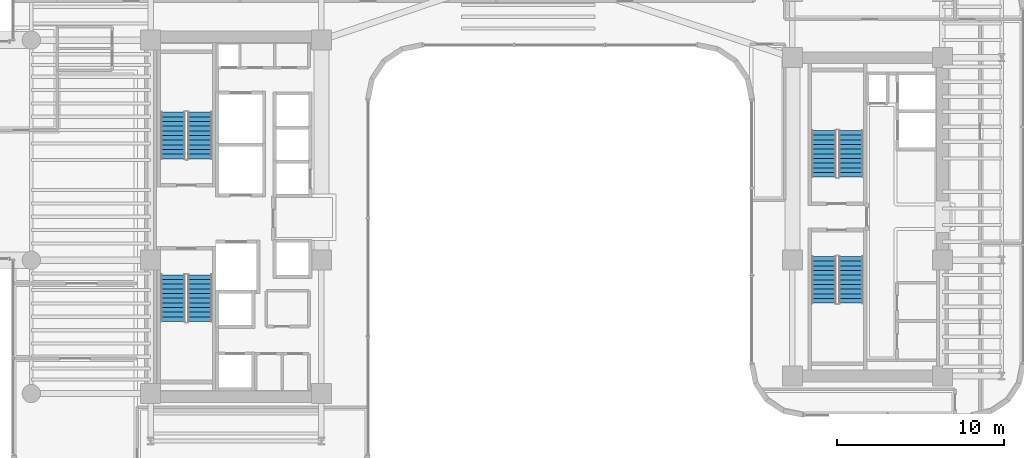
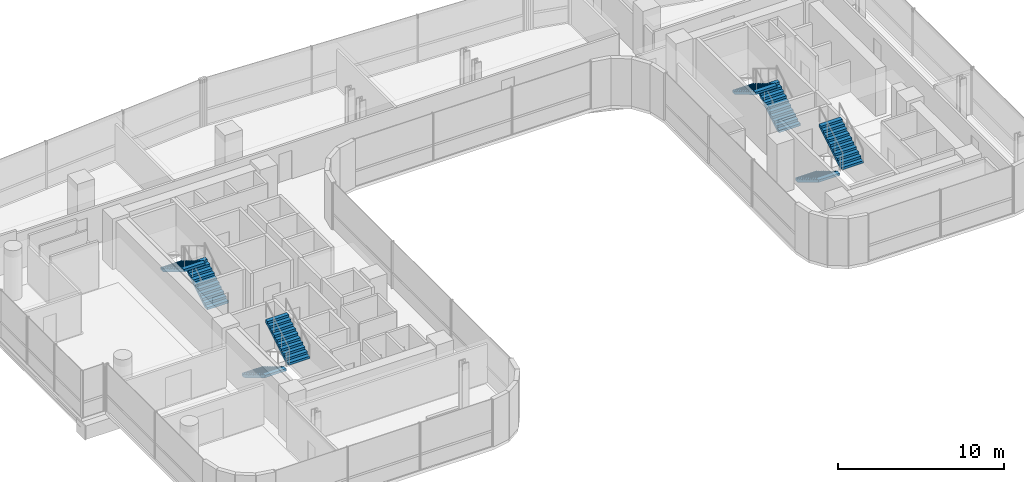
# One storey, part 30 of 34: 8 stair flights, 4 elements without a shape of their own.
"""IFC4 building model written with IfcOpenShell, lengths in metres."""

from ifc_helpers import new_model, si_unit, direction, frame, origin, place, context, subcontext, project, spatial, polyline, outline, extrude, material, type_object, element, aggregate, save


model = new_model("IFC4")

# Units and contexts
model_context = context("Model", 3, precision=1e-05, world=origin(), true_north=direction((0.0, 1.0)))
body_context = subcontext(model_context, "Body", "Model", "MODEL_VIEW")
ifc_project = project(units=[si_unit("LENGTHUNIT", "METRE"), si_unit("AREAUNIT", "SQUARE_METRE"), si_unit("VOLUMEUNIT", "CUBIC_METRE"), si_unit("PLANEANGLEUNIT", "RADIAN"), si_unit("MASSUNIT", "GRAM", prefix="KILO")], contexts=[model_context])

# Site, building, storey
site_placement = place(None, origin())
site = spatial("IfcSite", under=ifc_project, at=site_placement, CompositionType="ELEMENT")
building_placement = place(site_placement, origin())
building = spatial("IfcBuilding", under=site, at=building_placement, Name="Valdorenza Pilgrim Sanctuary Tower", CompositionType="ELEMENT")
storey_placement = place(building_placement, frame((0.0, 0.0, 146.39990234375)))
storey = spatial("IfcBuildingStorey", under=building, at=storey_placement, Name="L37", CompositionType="ELEMENT", Elevation=146.39990234375)

# Stair, stair flights
ifc_material = material(Name="Concrete C40/50", Category="concrete")
stair_type = type_object("IfcStairType", Name="STR-DOG-CORE", PredefinedType="HALF_TURN_STAIR", material=ifc_material)
stair_1_placement = place(storey_placement, origin())
stair_1 = element("IfcStair", 1, at=stair_1_placement, inside=storey, type_object=stair_type, Name="L37 ST-A1", PredefinedType="HALF_TURN_STAIR")
stair_flight_type = type_object("IfcStairFlightType", Name="STF-RC-1400", PredefinedType="STRAIGHT", material=ifc_material)
stair_flight_1_placement = place(storey_placement, frame((-19.679931640625, 3.47998046875, 0.0), z_axis=(0.0, 0.0, 1.0), x_axis=(0.0, 1.0, 0.0)))
stair_flight_1 = element("IfcStairFlight", 2, at=stair_flight_1_placement, type_object=stair_flight_type, Name="ST-A1 flight 1", NumberOfRisers=11, NumberOfTreads=10, PredefinedType="STRAIGHT", RiserHeight=0.168181818, TreadLength=0.28, context=body_context, shape_type="SweptSolid", body=[
    extrude(outline(polyline([(0.0, 0.0), (0.0, 0.168212890625), (0.280029296875, 0.168212890625), (0.280029296875, 0.33642578125), (0.56005859375, 0.33642578125), (0.56005859375, 0.504638671875), (0.840087890625, 0.504638671875), (0.840087890625, 0.672607421875), (1.1201171875, 0.672607421875), (1.1201171875, 0.8408203125), (1.39990234375, 0.8408203125), (1.39990234375, 1.009033203125), (1.679931640625, 1.009033203125), (1.679931640625, 1.17724609375), (1.9599609375, 1.17724609375), (1.9599609375, 1.345458984375), (2.239990234375, 1.345458984375), (2.239990234375, 1.513671875), (2.52001953125, 1.513671875), (2.52001953125, 1.681884765625), (2.800048828125, 1.681884765625), (2.800048828125, 1.85009765625), (2.800048828125, 1.5068359375), (0.291015625, 0.0), (0.0, 0.0)])), frame((0.0, 0.739990234375, 0.0), z_axis=(0.0, -1.0, 0.0), x_axis=(1.0, 0.0, 0.0)), (0.0, 0.0, 1.0), 1.47998046875),
])
stair_flight_2_placement = place(storey_placement, frame((-21.31005859375, 6.280029296875, 1.85009765625), z_axis=(0.0, 0.0, 1.0), x_axis=(0.0, -1.0, 0.0)))
stair_flight_2 = element("IfcStairFlight", 3, at=stair_flight_2_placement, type_object=stair_flight_type, Name="ST-A1 flight 2", NumberOfRisers=11, NumberOfTreads=10, PredefinedType="STRAIGHT", RiserHeight=0.168181818, TreadLength=0.28, context=body_context, shape_type="SweptSolid", body=[
    extrude(outline(polyline([(0.0, 0.0), (0.0, 0.168212890625), (0.280029296875, 0.168212890625), (0.280029296875, 0.33642578125), (0.56005859375, 0.33642578125), (0.56005859375, 0.504638671875), (0.840087890625, 0.504638671875), (0.840087890625, 0.672607421875), (1.1201171875, 0.672607421875), (1.1201171875, 0.8408203125), (1.39990234375, 0.8408203125), (1.39990234375, 1.009033203125), (1.679931640625, 1.009033203125), (1.679931640625, 1.17724609375), (1.9599609375, 1.17724609375), (1.9599609375, 1.345458984375), (2.239990234375, 1.345458984375), (2.239990234375, 1.513671875), (2.52001953125, 1.513671875), (2.52001953125, 1.681884765625), (2.800048828125, 1.681884765625), (2.800048828125, 1.85009765625), (2.800048828125, 1.5068359375), (0.291015625, 0.0), (0.0, 0.0)])), frame((0.0, 0.739990234375, 0.0), z_axis=(0.0, -1.0, 0.0), x_axis=(1.0, 0.0, 0.0)), (0.0, 0.0, 1.0), 1.47998046875),
])
aggregate(stair_1, [stair_flight_1, stair_flight_2])

stair_2_placement = place(storey_placement, origin())
stair_2 = element("IfcStair", 4, at=stair_2_placement, inside=storey, type_object=stair_type, Name="L37 ST-A2", PredefinedType="HALF_TURN_STAIR")
stair_flight_3_placement = place(storey_placement, frame((-21.31005859375, -3.47998046875, 0.0), z_axis=(0.0, 0.0, 1.0), x_axis=(0.0, -1.0, 0.0)))
stair_flight_3 = element("IfcStairFlight", 5, at=stair_flight_3_placement, type_object=stair_flight_type, Name="ST-A2 flight 1", NumberOfRisers=11, NumberOfTreads=10, PredefinedType="STRAIGHT", RiserHeight=0.168181818, TreadLength=0.28, context=body_context, shape_type="SweptSolid", body=[
    extrude(outline(polyline([(0.0, 0.0), (0.0, 0.168212890625), (0.280029296875, 0.168212890625), (0.280029296875, 0.33642578125), (0.56005859375, 0.33642578125), (0.56005859375, 0.504638671875), (0.840087890625, 0.504638671875), (0.840087890625, 0.672607421875), (1.1201171875, 0.672607421875), (1.1201171875, 0.8408203125), (1.39990234375, 0.8408203125), (1.39990234375, 1.009033203125), (1.679931640625, 1.009033203125), (1.679931640625, 1.17724609375), (1.9599609375, 1.17724609375), (1.9599609375, 1.345458984375), (2.239990234375, 1.345458984375), (2.239990234375, 1.513671875), (2.52001953125, 1.513671875), (2.52001953125, 1.681884765625), (2.800048828125, 1.681884765625), (2.800048828125, 1.85009765625), (2.800048828125, 1.5068359375), (0.291015625, 0.0), (0.0, 0.0)])), frame((0.0, 0.739990234375, 0.0), z_axis=(0.0, -1.0, 0.0), x_axis=(1.0, 0.0, 0.0)), (0.0, 0.0, 1.0), 1.47998046875),
])
stair_flight_4_placement = place(storey_placement, frame((-19.679931640625, -6.280029296875, 1.85009765625), z_axis=(0.0, 0.0, 1.0), x_axis=(0.0, 1.0, 0.0)))
stair_flight_4 = element("IfcStairFlight", 6, at=stair_flight_4_placement, type_object=stair_flight_type, Name="ST-A2 flight 2", NumberOfRisers=11, NumberOfTreads=10, PredefinedType="STRAIGHT", RiserHeight=0.168181818, TreadLength=0.28, context=body_context, shape_type="SweptSolid", body=[
    extrude(outline(polyline([(0.0, 0.0), (0.0, 0.168212890625), (0.280029296875, 0.168212890625), (0.280029296875, 0.33642578125), (0.56005859375, 0.33642578125), (0.56005859375, 0.504638671875), (0.840087890625, 0.504638671875), (0.840087890625, 0.672607421875), (1.1201171875, 0.672607421875), (1.1201171875, 0.8408203125), (1.39990234375, 0.8408203125), (1.39990234375, 1.009033203125), (1.679931640625, 1.009033203125), (1.679931640625, 1.17724609375), (1.9599609375, 1.17724609375), (1.9599609375, 1.345458984375), (2.239990234375, 1.345458984375), (2.239990234375, 1.513671875), (2.52001953125, 1.513671875), (2.52001953125, 1.681884765625), (2.800048828125, 1.681884765625), (2.800048828125, 1.85009765625), (2.800048828125, 1.5068359375), (0.291015625, 0.0), (0.0, 0.0)])), frame((0.0, 0.739990234375, 0.0), z_axis=(0.0, -1.0, 0.0), x_axis=(1.0, 0.0, 0.0)), (0.0, 0.0, 1.0), 1.47998046875),
])
aggregate(stair_2, [stair_flight_3, stair_flight_4])

stair_3_placement = place(storey_placement, origin())
stair_3 = element("IfcStair", 7, at=stair_3_placement, inside=storey, type_object=stair_type, Name="L37 ST-B1", PredefinedType="HALF_TURN_STAIR")
stair_flight_5_placement = place(storey_placement, frame((19.3701171875, 2.3798828125, 0.0), z_axis=(0.0, 0.0, 1.0), x_axis=(0.0, 1.0, 0.0)))
stair_flight_5 = element("IfcStairFlight", 8, at=stair_flight_5_placement, type_object=stair_flight_type, Name="ST-B1 flight 1", NumberOfRisers=11, NumberOfTreads=10, PredefinedType="STRAIGHT", RiserHeight=0.168181818, TreadLength=0.28, context=body_context, shape_type="SweptSolid", body=[
    extrude(outline(polyline([(0.0, 0.0), (0.0, 0.168212890625), (0.280029296875, 0.168212890625), (0.280029296875, 0.33642578125), (0.56005859375, 0.33642578125), (0.56005859375, 0.504638671875), (0.840087890625, 0.504638671875), (0.840087890625, 0.672607421875), (1.1201171875, 0.672607421875), (1.1201171875, 0.8408203125), (1.39990234375, 0.8408203125), (1.39990234375, 1.009033203125), (1.679931640625, 1.009033203125), (1.679931640625, 1.17724609375), (1.9599609375, 1.17724609375), (1.9599609375, 1.345458984375), (2.239990234375, 1.345458984375), (2.239990234375, 1.513671875), (2.52001953125, 1.513671875), (2.52001953125, 1.681884765625), (2.800048828125, 1.681884765625), (2.800048828125, 1.85009765625), (2.800048828125, 1.5068359375), (0.291015625, 0.0), (0.0, 0.0)])), frame((0.0, 0.739990234375, 0.0), z_axis=(0.0, -1.0, 0.0), x_axis=(1.0, 0.0, 0.0)), (0.0, 0.0, 1.0), 1.47998046875),
])
stair_flight_6_placement = place(storey_placement, frame((17.739990234375, 5.179931640625, 1.85009765625), z_axis=(0.0, 0.0, 1.0), x_axis=(0.0, -1.0, 0.0)))
stair_flight_6 = element("IfcStairFlight", 9, at=stair_flight_6_placement, type_object=stair_flight_type, Name="ST-B1 flight 2", NumberOfRisers=11, NumberOfTreads=10, PredefinedType="STRAIGHT", RiserHeight=0.168181818, TreadLength=0.28, context=body_context, shape_type="SweptSolid", body=[
    extrude(outline(polyline([(0.0, 0.0), (0.0, 0.168212890625), (0.280029296875, 0.168212890625), (0.280029296875, 0.33642578125), (0.56005859375, 0.33642578125), (0.56005859375, 0.504638671875), (0.840087890625, 0.504638671875), (0.840087890625, 0.672607421875), (1.1201171875, 0.672607421875), (1.1201171875, 0.8408203125), (1.39990234375, 0.8408203125), (1.39990234375, 1.009033203125), (1.679931640625, 1.009033203125), (1.679931640625, 1.17724609375), (1.9599609375, 1.17724609375), (1.9599609375, 1.345458984375), (2.239990234375, 1.345458984375), (2.239990234375, 1.513671875), (2.52001953125, 1.513671875), (2.52001953125, 1.681884765625), (2.800048828125, 1.681884765625), (2.800048828125, 1.85009765625), (2.800048828125, 1.5068359375), (0.291015625, 0.0), (0.0, 0.0)])), frame((0.0, 0.739990234375, 0.0), z_axis=(0.0, -1.0, 0.0), x_axis=(1.0, 0.0, 0.0)), (0.0, 0.0, 1.0), 1.47998046875),
])
aggregate(stair_3, [stair_flight_5, stair_flight_6])

stair_4_placement = place(storey_placement, origin())
stair_4 = element("IfcStair", 10, at=stair_4_placement, inside=storey, type_object=stair_type, Name="L37 ST-B2", PredefinedType="HALF_TURN_STAIR")
stair_flight_7_placement = place(storey_placement, frame((17.739990234375, -2.3798828125, 0.0), z_axis=(0.0, 0.0, 1.0), x_axis=(0.0, -1.0, 0.0)))
stair_flight_7 = element("IfcStairFlight", 11, at=stair_flight_7_placement, type_object=stair_flight_type, Name="ST-B2 flight 1", NumberOfRisers=11, NumberOfTreads=10, PredefinedType="STRAIGHT", RiserHeight=0.168181818, TreadLength=0.28, context=body_context, shape_type="SweptSolid", body=[
    extrude(outline(polyline([(0.0, 0.0), (0.0, 0.168212890625), (0.280029296875, 0.168212890625), (0.280029296875, 0.33642578125), (0.56005859375, 0.33642578125), (0.56005859375, 0.504638671875), (0.840087890625, 0.504638671875), (0.840087890625, 0.672607421875), (1.1201171875, 0.672607421875), (1.1201171875, 0.8408203125), (1.39990234375, 0.8408203125), (1.39990234375, 1.009033203125), (1.679931640625, 1.009033203125), (1.679931640625, 1.17724609375), (1.9599609375, 1.17724609375), (1.9599609375, 1.345458984375), (2.239990234375, 1.345458984375), (2.239990234375, 1.513671875), (2.52001953125, 1.513671875), (2.52001953125, 1.681884765625), (2.800048828125, 1.681884765625), (2.800048828125, 1.85009765625), (2.800048828125, 1.5068359375), (0.291015625, 0.0), (0.0, 0.0)])), frame((0.0, 0.739990234375, 0.0), z_axis=(0.0, -1.0, 0.0), x_axis=(1.0, 0.0, 0.0)), (0.0, 0.0, 1.0), 1.47998046875),
])
stair_flight_8_placement = place(storey_placement, frame((19.3701171875, -5.179931640625, 1.85009765625), z_axis=(0.0, 0.0, 1.0), x_axis=(0.0, 1.0, 0.0)))
stair_flight_8 = element("IfcStairFlight", 12, at=stair_flight_8_placement, type_object=stair_flight_type, Name="ST-B2 flight 2", NumberOfRisers=11, NumberOfTreads=10, PredefinedType="STRAIGHT", RiserHeight=0.168181818, TreadLength=0.28, context=body_context, shape_type="SweptSolid", body=[
    extrude(outline(polyline([(0.0, 0.0), (0.0, 0.168212890625), (0.280029296875, 0.168212890625), (0.280029296875, 0.33642578125), (0.56005859375, 0.33642578125), (0.56005859375, 0.504638671875), (0.840087890625, 0.504638671875), (0.840087890625, 0.672607421875), (1.1201171875, 0.672607421875), (1.1201171875, 0.8408203125), (1.39990234375, 0.8408203125), (1.39990234375, 1.009033203125), (1.679931640625, 1.009033203125), (1.679931640625, 1.17724609375), (1.9599609375, 1.17724609375), (1.9599609375, 1.345458984375), (2.239990234375, 1.345458984375), (2.239990234375, 1.513671875), (2.52001953125, 1.513671875), (2.52001953125, 1.681884765625), (2.800048828125, 1.681884765625), (2.800048828125, 1.85009765625), (2.800048828125, 1.5068359375), (0.291015625, 0.0), (0.0, 0.0)])), frame((0.0, 0.739990234375, 0.0), z_axis=(0.0, -1.0, 0.0), x_axis=(1.0, 0.0, 0.0)), (0.0, 0.0, 1.0), 1.47998046875),
])
aggregate(stair_4, [stair_flight_7, stair_flight_8])

save(model, "model.ifc")
